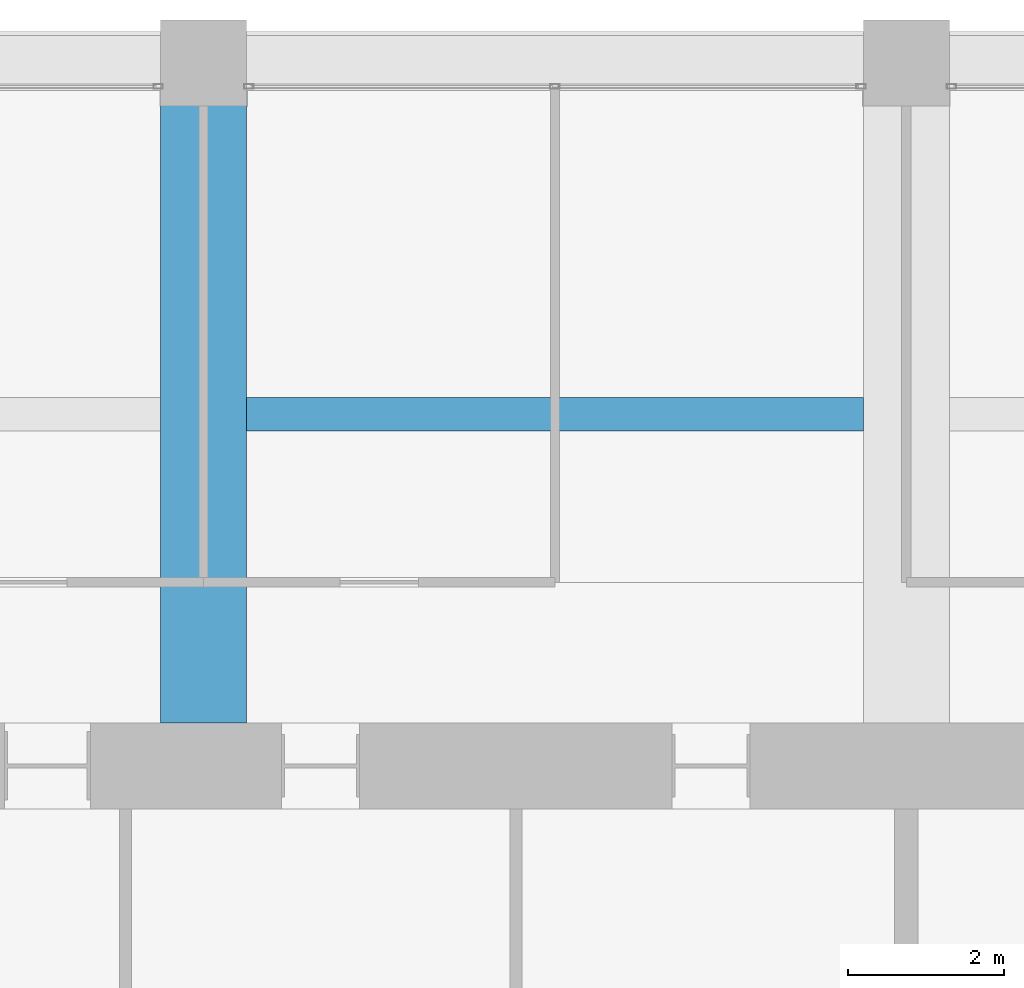
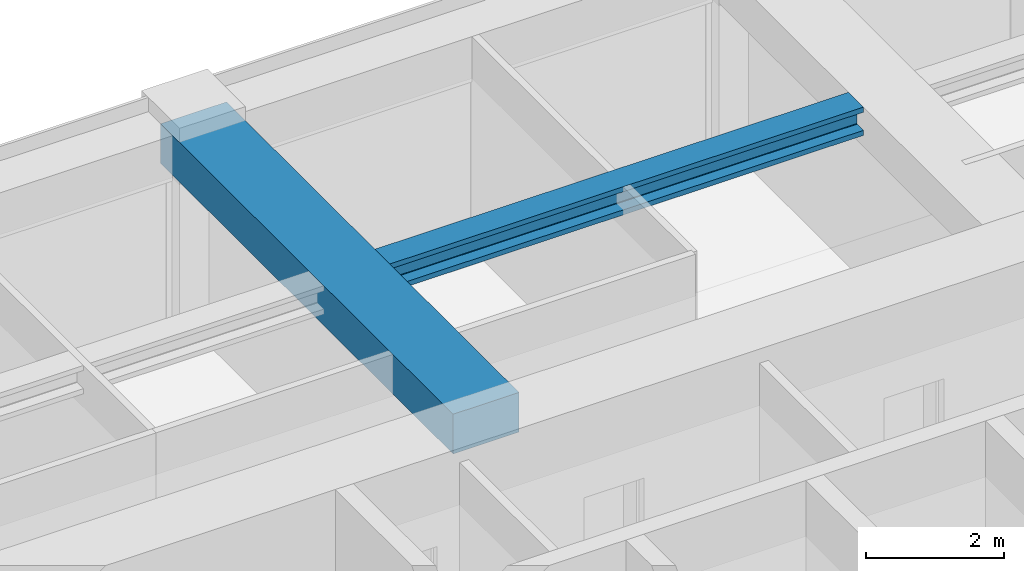
# One storey, part 32 of 44: 2 beams.
"""IFC4 building model written with IfcOpenShell, lengths in metres."""

from ifc_helpers import new_model, si_unit, direction, frame, origin, origin_2d, place, context, subcontext, project, spatial, rectangle, i_section, extrude, material, material_profile, profile_set, type_object, element, save


model = new_model("IFC4")

# Units and contexts
model_context = context("Model", 3, precision=1e-05, world=origin(), true_north=direction((0.0, 1.0)))
body_context = subcontext(model_context, "Body", "Model", "MODEL_VIEW")
ifc_project = project(units=[si_unit("LENGTHUNIT", "METRE"), si_unit("AREAUNIT", "SQUARE_METRE"), si_unit("VOLUMEUNIT", "CUBIC_METRE"), si_unit("PLANEANGLEUNIT", "RADIAN"), si_unit("MASSUNIT", "GRAM", prefix="KILO")], contexts=[model_context])

# Site, building, storey
site_placement = place(None, origin())
site = spatial("IfcSite", under=ifc_project, at=site_placement, CompositionType="ELEMENT")
building_placement = place(site_placement, origin())
building = spatial("IfcBuilding", under=site, at=building_placement, Name="Zorevar Civic Tower", CompositionType="ELEMENT")
storey_placement = place(building_placement, frame((0.0, 0.0, 251.39990234375)))
storey = spatial("IfcBuildingStorey", under=building, at=storey_placement, Name="L61", CompositionType="ELEMENT", Elevation=251.39990234375)

# Beams
ifc_material_1 = material(Name="Concrete C50/60", Category="concrete")
ifc_material_profile_1 = material_profile(ifc_material_1, rectangle(XDim=1.10009765625, YDim=0.699951171875, at=origin_2d()), Name="RC 1100x700")
ifc_profile_set_1 = profile_set([ifc_material_profile_1], Name="Concrete C50/60")
beam_type_1 = type_object("IfcBeamType", Name="Beam RC 1100x700", PredefinedType="BEAM", material=ifc_profile_set_1)
beam_1_placement = place(storey_placement, frame((27.0, 36.550048828125, 3.400146484375), z_axis=(0.0, 1.0, 0.0), x_axis=(-1.0, 0.0, 0.0)))
element("IfcBeam", 1, at=beam_1_placement, inside=storey, type_object=beam_type_1, Name="Girder L62", PredefinedType="BEAM", context=body_context, shape_type="SweptSolid", body=[
    extrude(rectangle(XDim=1.10009765625, YDim=0.699951171875, at=origin_2d()), origin(), (0.0, 0.0, 1.0), 8.449951171875),
])
ifc_material_2 = material(Name="Steel S460M (HISTAR 460)", Category="steel")
ifc_material_profile_2 = material_profile(ifc_material_2, i_section(OverallWidth=0.431884765625, OverallDepth=0.498046875, WebThickness=0.0556640625, FlangeThickness=0.0888671875, FilletRadius=0.014892578125, at=origin_2d()), Name="HD 400x744")
ifc_profile_set_2 = profile_set([ifc_material_profile_2], Name="Steel S460M (HISTAR 460)")
beam_type_2 = type_object("IfcBeamType", Name="Core bay beam HD 400x744", PredefinedType="BEAM", material=ifc_profile_set_2)
beam_2_placement = place(storey_placement, frame((27.550048828125, 40.5, 3.5009765625), z_axis=(1.0, 0.0, 0.0), x_axis=(0.0, 1.0, 0.0)))
element("IfcBeam", 2, at=beam_2_placement, inside=storey, type_object=beam_type_2, Name="Secondary beam L62", PredefinedType="BEAM", context=body_context, shape_type="SweptSolid", body=[
    extrude(i_section(OverallWidth=0.431884765625, OverallDepth=0.498046875, WebThickness=0.0556640625, FlangeThickness=0.0888671875, FilletRadius=0.014892578125, at=origin_2d()), origin(), (0.0, 0.0, 1.0), 7.89990234375),
])

save(model, "model.ifc")
